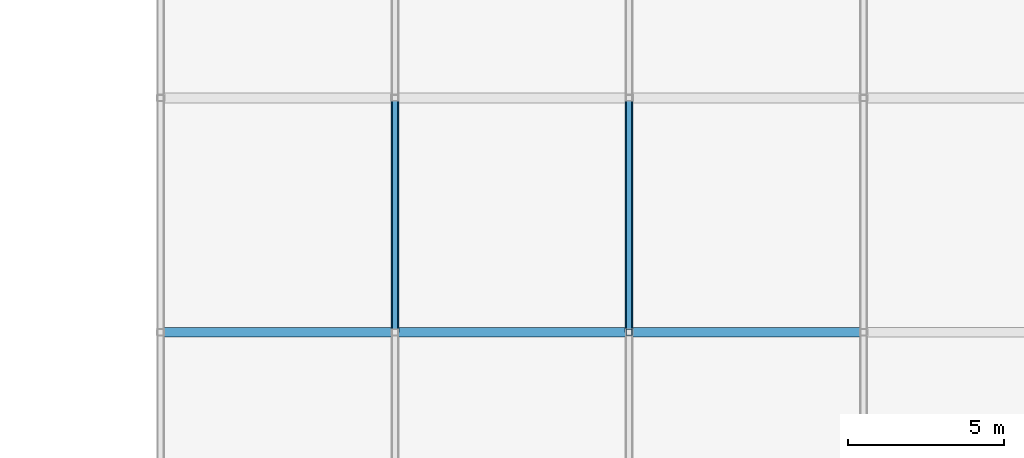
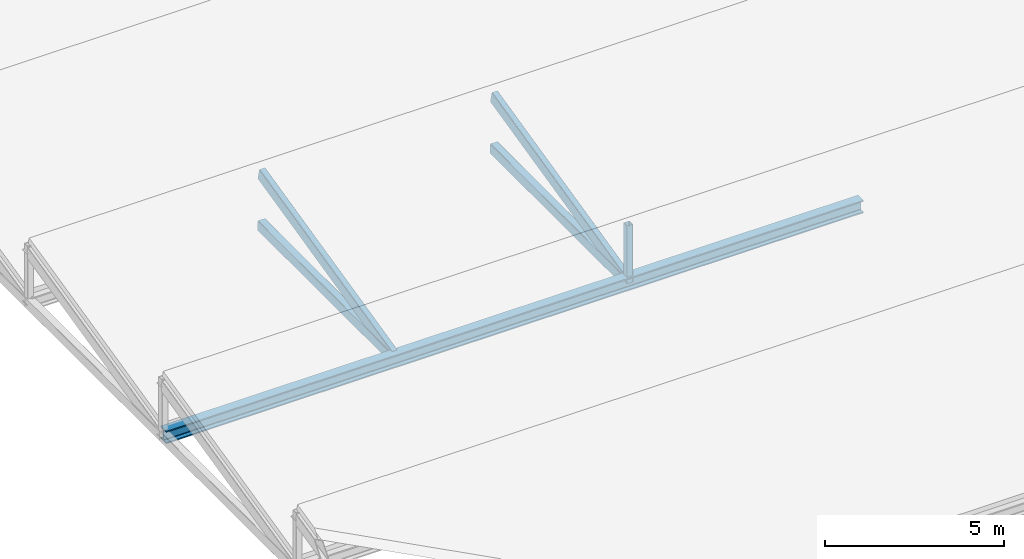
# One storey, part 42 of 82: 6 members.
"""IFC4 building model written with IfcOpenShell, lengths in metres."""

from ifc_helpers import new_model, si_unit, direction, frame, origin, origin_2d, place, context, subcontext, project, spatial, hollow_rectangle, i_section, extrude, material, material_profile, profile_set, type_object, element, save


model = new_model("IFC4")

# Units and contexts
model_context = context("Model", 3, precision=1e-05, world=origin(), true_north=direction((0.0, 1.0)))
body_context = subcontext(model_context, "Body", "Model", "MODEL_VIEW")
ifc_project = project(units=[si_unit("LENGTHUNIT", "METRE"), si_unit("AREAUNIT", "SQUARE_METRE"), si_unit("VOLUMEUNIT", "CUBIC_METRE"), si_unit("PLANEANGLEUNIT", "RADIAN"), si_unit("MASSUNIT", "GRAM", prefix="KILO")], contexts=[model_context])

# Site, building, storey
site_placement = place(None, origin())
site = spatial("IfcSite", under=ifc_project, at=site_placement, CompositionType="ELEMENT")
building_placement = place(site_placement, origin())
building = spatial("IfcBuilding", under=site, at=building_placement, Name="Qasida Concert Hall", CompositionType="ELEMENT")
storey_placement = place(building_placement, frame((0.0, 0.0, 17.10009765625)))
storey = spatial("IfcBuildingStorey", under=building, at=storey_placement, Name="L04", CompositionType="ELEMENT", Elevation=17.10009765625)

# Members
ifc_material = material(Name="Steel S355J2", Category="steel")
ifc_material_profile_1 = material_profile(ifc_material, i_section(OverallWidth=0.306884765625, OverallDepth=0.431884765625, WebThickness=0.02099609375, FlangeThickness=0.0400390625, FilletRadius=0.027099609375, at=origin_2d()), Name="HEM 400")
ifc_profile_set_1 = profile_set([ifc_material_profile_1], Name="Steel S355J2")
member_type_1 = type_object("IfcMemberType", Name="MB-CH3", PredefinedType="CHORD", material=ifc_profile_set_1)
member_1_placement = place(storey_placement, frame((127.5, 90.0, 0.0), z_axis=(1.0, 0.0, 0.0), x_axis=(0.0, 1.0, 0.0)))
element("IfcMember", 1, at=member_1_placement, inside=storey, type_object=member_type_1, Name="Roof truss sawtooth bottom chord V4T-005", PredefinedType="CHORD", context=body_context, shape_type="SweptSolid", body=[
    extrude(i_section(OverallWidth=0.306884765625, OverallDepth=0.431884765625, WebThickness=0.02099609375, FlangeThickness=0.0400390625, FilletRadius=0.027099609375, at=origin_2d()), origin(), (0.0, 0.0, 1.0), 22.5),
])
ifc_material_profile_2 = material_profile(ifc_material, hollow_rectangle(XDim=0.199951171875, YDim=0.39990234375, WallThickness=0.01611328125, InnerFilletRadius=0.01611328125, OuterFilletRadius=0.031982421875, at=origin_2d()), Name="RHS 400x200x16")
ifc_profile_set_2 = profile_set([ifc_material_profile_2], Name="Steel S355J2")
member_type_2 = type_object("IfcMemberType", Name="MB-CH4", PredefinedType="CHORD", material=ifc_profile_set_2)
for number, where, z_axis, x_axis, name in (
    (2, (135.0, 90.0, 0.0), (0.0, 0.973841209742, 0.227229615606), (-1.0, 0.0, 0.0), "Roof truss sawtooth rafter V4R-053"),
    (3, (142.5, 90.0, 0.0), (0.0, 0.973841209742, 0.227229615606), (-1.0, 0.0, 0.0), "Roof truss sawtooth rafter V4R-056"),
):
    element("IfcMember", number, at=place(storey_placement, frame(where, z_axis=z_axis, x_axis=x_axis)), inside=storey, type_object=member_type_2, Name=name, PredefinedType="CHORD", context=body_context, shape_type="SweptSolid", body=[
        extrude(hollow_rectangle(XDim=0.199951171875, YDim=0.39990234375, WallThickness=0.01611328125, InnerFilletRadius=0.01611328125, OuterFilletRadius=0.031982421875, at=origin_2d()), origin(), (0.0, 0.0, 1.0), 7.701416015625),
    ])
ifc_material_profile_3 = material_profile(ifc_material, hollow_rectangle(XDim=0.25, YDim=0.35009765625, WallThickness=0.01611328125, InnerFilletRadius=0.01611328125, OuterFilletRadius=0.031982421875, at=origin_2d()), Name="RHS 350x250x16")
ifc_profile_set_3 = profile_set([ifc_material_profile_3], Name="Steel S355J2")
member_type_3 = type_object("IfcMemberType", Name="MB-CH5", PredefinedType="CHORD", material=ifc_profile_set_3)
for number, where, z_axis, x_axis, name in (
    (4, (135.0, 90.0, 0.0), (0.0, 1.0, 0.0), (-1.0, 0.0, 0.0), "Roof truss sawtooth tie V4B-052"),
    (5, (142.5, 90.0, 0.0), (0.0, 1.0, 0.0), (-1.0, 0.0, 0.0), "Roof truss sawtooth tie V4B-055"),
):
    element("IfcMember", number, at=place(storey_placement, frame(where, z_axis=z_axis, x_axis=x_axis)), inside=storey, type_object=member_type_3, Name=name, PredefinedType="CHORD", context=body_context, shape_type="SweptSolid", body=[
        extrude(hollow_rectangle(XDim=0.25, YDim=0.35009765625, WallThickness=0.01611328125, InnerFilletRadius=0.01611328125, OuterFilletRadius=0.031982421875, at=origin_2d()), origin(), (0.0, 0.0, 1.0), 7.5),
    ])
ifc_material_profile_4 = material_profile(ifc_material, hollow_rectangle(XDim=0.199951171875, YDim=0.199951171875, WallThickness=0.010009765625, InnerFilletRadius=0.010009765625, OuterFilletRadius=0.02001953125, at=origin_2d()), Name="SHS 200x200x10")
ifc_profile_set_4 = profile_set([ifc_material_profile_4], Name="Steel S355J2")
member_type_4 = type_object("IfcMemberType", Name="MB-ST6", PredefinedType="STRUT", material=ifc_profile_set_4)
member_2_placement = place(storey_placement, frame((142.5, 90.0, 0.0), z_axis=(0.0, 0.0, 1.0), x_axis=(1.0, 0.0, 0.0)))
element("IfcMember", 6, at=member_2_placement, inside=storey, type_object=member_type_4, Name="Roof truss sawtooth post V4V-039", PredefinedType="STRUT", context=body_context, shape_type="SweptSolid", body=[
    extrude(hollow_rectangle(XDim=0.199951171875, YDim=0.199951171875, WallThickness=0.010009765625, InnerFilletRadius=0.010009765625, OuterFilletRadius=0.02001953125, at=origin_2d()), origin(), (0.0, 0.0, 1.0), 1.9599609375),
])

save(model, "model.ifc")
